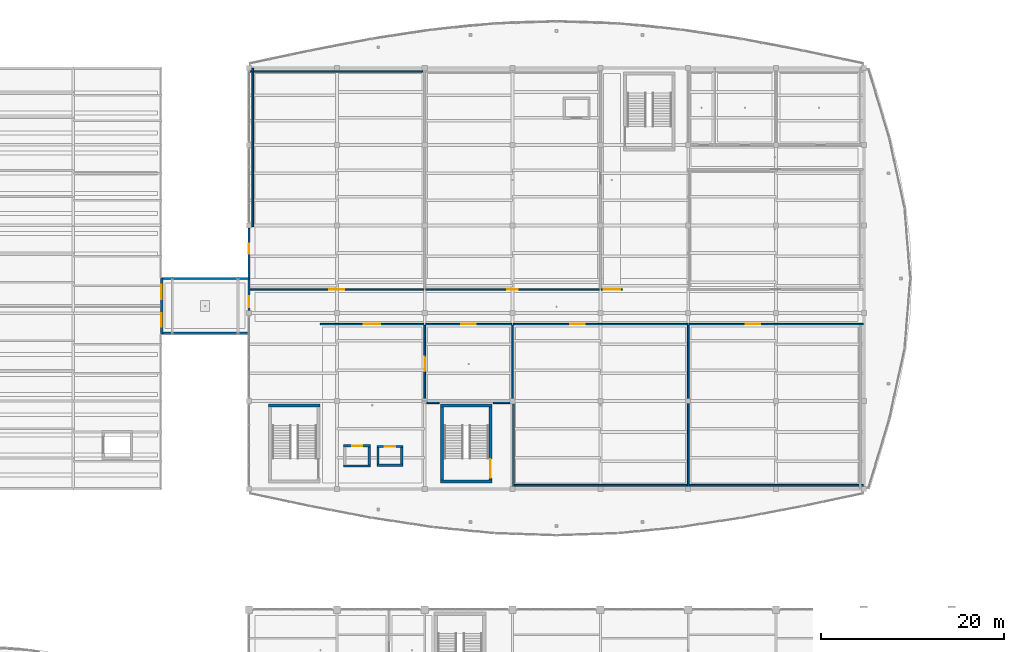
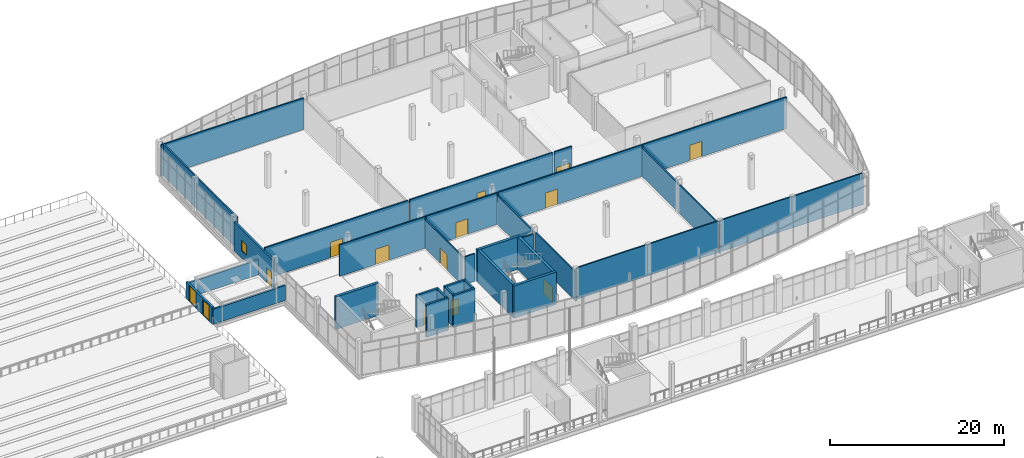
# One storey, part 135 of 157: 33 walls, 14 doors, 1 window, 15 openings.
"""IFC4 building model written with IfcOpenShell, lengths in metres."""

from ifc_helpers import new_model, si_unit, direction, frame, frame_2d, origin, place, context, subcontext, project, spatial, rectangle, extrude, material, layer, layer_set, type_object, element, fill, save


model = new_model("IFC4")

# Units and contexts
model_context = context("Model", 3, precision=1e-05, world=origin(), true_north=direction((0.0, 1.0)))
body_context = subcontext(model_context, "Body", "Model", "MODEL_VIEW")
ifc_project = project(units=[si_unit("LENGTHUNIT", "METRE"), si_unit("AREAUNIT", "SQUARE_METRE"), si_unit("VOLUMEUNIT", "CUBIC_METRE"), si_unit("PLANEANGLEUNIT", "RADIAN"), si_unit("MASSUNIT", "GRAM", prefix="KILO")], contexts=[model_context])

# Site, building, storey
site_placement = place(None, origin())
site = spatial("IfcSite", under=ifc_project, at=site_placement, CompositionType="ELEMENT")
building_placement = place(site_placement, origin())
building = spatial("IfcBuilding", under=site, at=building_placement, Name="Chalmorin Arch Market", CompositionType="ELEMENT")
storey_placement = place(building_placement, frame((0.0, 0.0, 4.800048828125)))
storey = spatial("IfcBuildingStorey", under=building, at=storey_placement, Name="L01", CompositionType="ELEMENT", Elevation=4.800048828125)

# Wall, opening, door
ifc_material_1 = material(Name="Gypsum Board Partition")
ifc_layer_1 = layer(ifc_material_1, 0.175048828125)
ifc_layer_set_1 = layer_set([ifc_layer_1], Name="Gypsum Board Partition")
wall_type_1 = type_object("IfcWallType", Name="AcousticStudioPartition-175", PredefinedType="PARTITIONING", material=ifc_layer_set_1)
wall_1_placement = place(storey_placement, frame((67.199951171875, 81.39990234375, 0.0), z_axis=(0.0, 0.0, 1.0), x_axis=(0.0, 1.0, 0.0)))
wall_1 = element("IfcWall", 1, at=wall_1_placement, inside=storey, type_object=wall_type_1, Name="ASP-175-493", PredefinedType="PARTITIONING", context=body_context, shape_type="SweptSolid", body=[
    extrude(rectangle(XDim=8.5, YDim=0.175048828125, at=frame_2d((4.25, 0.0))), origin(), (0.0, 0.0, 1.0), 4.036865234375),
])
opening_1_placement = place(wall_1_placement, frame((3.449951171875, 0.0, 0.0)))
opening_1 = element("IfcOpeningElement", 2, at=opening_1_placement, cuts=wall_1, Name="Opening ID-156", PredefinedType="OPENING", context=body_context, shape_type="SweptSolid", body=[
    extrude(rectangle(XDim=1.60009765625, YDim=2.14990234375, at=frame_2d((0.800048828125, 1.074951171875))), frame((0.0, 0.097412109375, 0.0), z_axis=(0.0, -1.0, 0.0), x_axis=(1.0, 0.0, 0.0)), (0.0, 0.0, 1.0), 0.195068359375),
])
ifc_material_2 = material(Name="Stainless Steel 316", Category="steel")
door_type_1 = type_object("IfcDoorType", Name="TeachingKitchenDoubleDoor-1600x2150", OperationType="DOUBLE_DOOR_SINGLE_SWING", PredefinedType="DOOR", material=ifc_material_2)
door_1_placement = place(opening_1_placement, origin())
door_1 = element("IfcDoor", 3, at=door_1_placement, inside=storey, type_object=door_type_1, Name="ID-156", OperationType="DOUBLE_DOOR_SINGLE_SWING", OverallHeight=2.14990234375, OverallWidth=1.60009765625, PredefinedType="DOOR", context=body_context, shape_type="SweptSolid", body=[
    extrude(rectangle(XDim=1.60009765625, YDim=2.14990234375, at=frame_2d((0.800048828125, 1.074951171875))), frame((0.0, 0.02490234375, 0.0), z_axis=(0.0, -1.0, 0.0), x_axis=(1.0, 0.0, 0.0)), (0.0, 0.0, 1.0), 0.050048828125),
])
fill(opening_1, door_1)

# Wall
wall_2_placement = place(storey_placement, frame((76.800048828125, 81.39990234375, 0.0), z_axis=(0.0, 0.0, 1.0), x_axis=(0.0, 1.0, 0.0)))
element("IfcWall", 4, at=wall_2_placement, inside=storey, type_object=wall_type_1, Name="ASP-175-495", PredefinedType="PARTITIONING", context=body_context, shape_type="SweptSolid", body=[
    extrude(rectangle(XDim=8.5, YDim=0.175048828125, at=frame_2d((4.25, 0.0))), origin(), (0.0, 0.0, 1.0), 4.036865234375),
])

# Wall, opening, door
wall_3_placement = place(storey_placement, frame((67.300048828125, 90.0, 0.0), z_axis=(0.0, 0.0, 1.0), x_axis=(1.0, 0.0, 0.0)))
wall_3 = element("IfcWall", 5, at=wall_3_placement, inside=storey, type_object=wall_type_1, Name="ASP-175-496", PredefinedType="PARTITIONING", context=body_context, shape_type="SweptSolid", body=[
    extrude(rectangle(XDim=9.39990234375, YDim=0.175048828125, at=frame_2d((4.699951171875, 0.0))), origin(), (0.0, 0.0, 1.0), 4.419921875),
])
opening_2_placement = place(wall_3_placement, frame((3.89990234375, 0.0, 0.0)))
opening_2 = element("IfcOpeningElement", 6, at=opening_2_placement, cuts=wall_3, Name="Opening ID-158", PredefinedType="OPENING", context=body_context, shape_type="SweptSolid", body=[
    extrude(rectangle(XDim=1.60009765625, YDim=2.14990234375, at=frame_2d((0.800048828125, 1.074951171875))), frame((0.0, 0.097412109375, 0.0), z_axis=(0.0, -1.0, 0.0), x_axis=(1.0, 0.0, 0.0)), (0.0, 0.0, 1.0), 0.195068359375),
])
door_2_placement = place(opening_2_placement, origin())
door_2 = element("IfcDoor", 7, at=door_2_placement, inside=storey, type_object=door_type_1, Name="ID-158", OperationType="DOUBLE_DOOR_SINGLE_SWING", OverallHeight=2.14990234375, OverallWidth=1.60009765625, PredefinedType="DOOR", context=body_context, shape_type="SweptSolid", body=[
    extrude(rectangle(XDim=1.60009765625, YDim=2.14990234375, at=frame_2d((0.800048828125, 1.074951171875))), frame((0.0, 0.02490234375, 0.0), z_axis=(0.0, -1.0, 0.0), x_axis=(1.0, 0.0, 0.0)), (0.0, 0.0, 1.0), 0.050048828125),
])
fill(opening_2, door_2)

# Wall
wall_4_placement = place(storey_placement, frame((96.0, 72.050048828125, 0.0), z_axis=(0.0, 0.0, 1.0), x_axis=(0.0, 1.0, 0.0)))
element("IfcWall", 8, at=wall_4_placement, inside=storey, type_object=wall_type_1, Name="ASP-175-497", PredefinedType="PARTITIONING", context=body_context, shape_type="SweptSolid", body=[
    extrude(rectangle(XDim=17.849853515625, YDim=0.175048828125, at=frame_2d((8.9248046875, 0.0))), origin(), (0.0, 0.0, 1.0), 4.036865234375),
])

# Wall, opening, door
wall_5_placement = place(storey_placement, frame((76.89990234375, 90.0, 0.0), z_axis=(0.0, 0.0, 1.0), x_axis=(1.0, 0.0, 0.0)))
wall_5 = element("IfcWall", 9, at=wall_5_placement, inside=storey, type_object=wall_type_1, Name="ASP-175-498", PredefinedType="PARTITIONING", context=body_context, shape_type="SweptSolid", body=[
    extrude(rectangle(XDim=19.050048828125, YDim=0.175048828125, at=frame_2d((9.52490234375, 0.0))), origin(), (0.0, 0.0, 1.0), 4.419921875),
])
opening_3_placement = place(wall_5_placement, frame((6.216064453125, 0.0, 0.0)))
opening_3 = element("IfcOpeningElement", 10, at=opening_3_placement, cuts=wall_5, Name="Opening ID-159", PredefinedType="OPENING", context=body_context, shape_type="SweptSolid", body=[
    extrude(rectangle(XDim=1.60009765625, YDim=2.14990234375, at=frame_2d((0.800048828125, 1.074951171875))), frame((0.0, 0.097412109375, 0.0), z_axis=(0.0, -1.0, 0.0), x_axis=(1.0, 0.0, 0.0)), (0.0, 0.0, 1.0), 0.195068359375),
])
door_3_placement = place(opening_3_placement, origin())
door_3 = element("IfcDoor", 11, at=door_3_placement, inside=storey, type_object=door_type_1, Name="ID-159", OperationType="DOUBLE_DOOR_SINGLE_SWING", OverallHeight=2.14990234375, OverallWidth=1.60009765625, PredefinedType="DOOR", context=body_context, shape_type="SweptSolid", body=[
    extrude(rectangle(XDim=1.60009765625, YDim=2.14990234375, at=frame_2d((0.800048828125, 1.074951171875))), frame((0.0, 0.02490234375, 0.0), z_axis=(0.0, -1.0, 0.0), x_axis=(1.0, 0.0, 0.0)), (0.0, 0.0, 1.0), 0.050048828125),
])
fill(opening_3, door_3)

wall_6_placement = place(storey_placement, frame((96.030029296875, 90.0, 0.0), z_axis=(0.0, 0.0, 1.0), x_axis=(1.0, 0.0, 0.0)))
wall_6 = element("IfcWall", 12, at=wall_6_placement, inside=storey, type_object=wall_type_1, Name="ASP-175-499", PredefinedType="PARTITIONING", context=body_context, shape_type="SweptSolid", body=[
    extrude(rectangle(XDim=19.119873046875, YDim=0.175048828125, at=frame_2d((9.56005859375, 0.0))), origin(), (0.0, 0.0, 1.0), 4.419921875),
])
opening_4_placement = place(wall_6_placement, frame((6.239990234375, 0.0, 0.0)))
opening_4 = element("IfcOpeningElement", 13, at=opening_4_placement, cuts=wall_6, Name="Opening ID-160", PredefinedType="OPENING", context=body_context, shape_type="SweptSolid", body=[
    extrude(rectangle(XDim=1.60009765625, YDim=2.14990234375, at=frame_2d((0.800048828125, 1.074951171875))), frame((0.0, 0.097412109375, 0.0), z_axis=(0.0, -1.0, 0.0), x_axis=(1.0, 0.0, 0.0)), (0.0, 0.0, 1.0), 0.195068359375),
])
door_4_placement = place(opening_4_placement, origin())
door_4 = element("IfcDoor", 14, at=door_4_placement, inside=storey, type_object=door_type_1, Name="ID-160", OperationType="DOUBLE_DOOR_SINGLE_SWING", OverallHeight=2.14990234375, OverallWidth=1.60009765625, PredefinedType="DOOR", context=body_context, shape_type="SweptSolid", body=[
    extrude(rectangle(XDim=1.60009765625, YDim=2.14990234375, at=frame_2d((0.800048828125, 1.074951171875))), frame((0.0, 0.02490234375, 0.0), z_axis=(0.0, -1.0, 0.0), x_axis=(1.0, 0.0, 0.0)), (0.0, 0.0, 1.0), 0.050048828125),
])
fill(opening_4, door_4)

wall_7_placement = place(storey_placement, frame((48.050048828125, 93.800048828125, 0.0), z_axis=(0.0, 0.0, 1.0), x_axis=(1.0, 0.0, 0.0)))
wall_7 = element("IfcWall", 15, at=wall_7_placement, inside=storey, type_object=wall_type_1, Name="ASP-175-501", PredefinedType="PARTITIONING", context=body_context, shape_type="SweptSolid", body=[
    extrude(rectangle(XDim=19.050048828125, YDim=0.175048828125, at=frame_2d((9.52490234375, 0.0))), origin(), (0.0, 0.0, 1.0), 4.419921875),
])
opening_5_placement = place(wall_7_placement, frame((8.72509765625, 0.0, 0.0)))
opening_5 = element("IfcOpeningElement", 16, at=opening_5_placement, cuts=wall_7, Name="Opening ID-162", PredefinedType="OPENING", context=body_context, shape_type="SweptSolid", body=[
    extrude(rectangle(XDim=1.60009765625, YDim=2.14990234375, at=frame_2d((0.800048828125, 1.074951171875))), frame((0.0, 0.097412109375, 0.0), z_axis=(0.0, -1.0, 0.0), x_axis=(1.0, 0.0, 0.0)), (0.0, 0.0, 1.0), 0.195068359375),
])
door_5_placement = place(opening_5_placement, origin())
door_5 = element("IfcDoor", 17, at=door_5_placement, inside=storey, type_object=door_type_1, Name="ID-162", OperationType="DOUBLE_DOOR_SINGLE_SWING", OverallHeight=2.14990234375, OverallWidth=1.60009765625, PredefinedType="DOOR", context=body_context, shape_type="SweptSolid", body=[
    extrude(rectangle(XDim=1.60009765625, YDim=2.14990234375, at=frame_2d((0.800048828125, 1.074951171875))), frame((0.0, 0.02490234375, 0.0), z_axis=(0.0, -1.0, 0.0), x_axis=(1.0, 0.0, 0.0)), (0.0, 0.0, 1.0), 0.050048828125),
])
fill(opening_5, door_5)

# Walls
wall_8_placement = place(storey_placement, frame((67.43994140625, 81.39990234375, 0.0), z_axis=(0.0, 0.0, 1.0), x_axis=(1.0, 0.0, 0.0)))
element("IfcWall", 18, at=wall_8_placement, inside=storey, type_object=wall_type_1, Name="ASP-175-519", PredefinedType="PARTITIONING", context=body_context, shape_type="SweptSolid", body=[
    extrude(rectangle(XDim=1.344970703125, YDim=0.175048828125, at=frame_2d((0.67236328125, 0.0))), origin(), (0.0, 0.0, 1.0), 3.89501953125),
])
wall_9_placement = place(storey_placement, frame((74.715087890625, 81.39990234375, 0.0), z_axis=(0.0, 0.0, 1.0), x_axis=(1.0, 0.0, 0.0)))
element("IfcWall", 19, at=wall_9_placement, inside=storey, type_object=wall_type_1, Name="ASP-175-520", PredefinedType="PARTITIONING", context=body_context, shape_type="SweptSolid", body=[
    extrude(rectangle(XDim=1.844970703125, YDim=0.175048828125, at=frame_2d((0.92236328125, 0.0))), origin(), (0.0, 0.0, 1.0), 3.89501953125),
])
wall_10_placement = place(storey_placement, frame((77.0400390625, 72.39990234375, 0.0), z_axis=(0.0, 0.0, 1.0), x_axis=(1.0, 0.0, 0.0)))
element("IfcWall", 20, at=wall_10_placement, inside=storey, type_object=wall_type_1, Name="ASP-175-521", PredefinedType="PARTITIONING", context=body_context, shape_type="SweptSolid", body=[
    extrude(rectangle(XDim=18.909912109375, YDim=0.175048828125, at=frame_2d((9.455078125, 0.0))), origin(), (0.0, 0.0, 1.0), 4.419921875),
])
wall_11_placement = place(storey_placement, frame((76.89990234375, 72.050048828125, 0.0), z_axis=(0.0, 0.0, 1.0), x_axis=(0.0, 1.0, 0.0)))
element("IfcWall", 21, at=wall_11_placement, inside=storey, type_object=wall_type_1, Name="ASP-175-522", PredefinedType="PARTITIONING", context=body_context, shape_type="SweptSolid", body=[
    extrude(rectangle(XDim=9.2099609375, YDim=0.175048828125, at=frame_2d((4.60498046875, 0.0))), origin(), (0.0, 0.0, 1.0), 4.036865234375),
])
wall_12_placement = place(storey_placement, frame((96.090087890625, 72.39990234375, 0.0), z_axis=(0.0, 0.0, 1.0), x_axis=(1.0, 0.0, 0.0)))
element("IfcWall", 22, at=wall_12_placement, inside=storey, type_object=wall_type_1, Name="ASP-175-523", PredefinedType="PARTITIONING", context=body_context, shape_type="SweptSolid", body=[
    extrude(rectangle(XDim=19.059814453125, YDim=0.175048828125, at=frame_2d((9.52978515625, 0.0))), origin(), (0.0, 0.0, 1.0), 4.419921875),
])
wall_13_placement = place(storey_placement, frame((48.050048828125, 117.60009765625, 0.0), z_axis=(0.0, 0.0, 1.0), x_axis=(1.0, 0.0, 0.0)))
element("IfcWall", 23, at=wall_13_placement, inside=storey, type_object=wall_type_1, Name="ASP-175-525", PredefinedType="PARTITIONING", context=body_context, shape_type="SweptSolid", body=[
    extrude(rectangle(XDim=18.909912109375, YDim=0.175048828125, at=frame_2d((9.455078125, 0.0))), origin(), (0.0, 0.0, 1.0), 4.419921875),
])
wall_14_placement = place(storey_placement, frame((48.39990234375, 100.6650390625, 0.0), z_axis=(0.0, 0.0, 1.0), x_axis=(0.0, 1.0, 0.0)))
element("IfcWall", 24, at=wall_14_placement, inside=storey, type_object=wall_type_1, Name="ASP-175-526", PredefinedType="PARTITIONING", context=body_context, shape_type="SweptSolid", body=[
    extrude(rectangle(XDim=17.284912109375, YDim=0.175048828125, at=frame_2d((8.642578125, 0.0))), origin(), (0.0, 0.0, 1.0), 4.419921875),
])
ifc_material_3 = material(Name="Concrete C40/50", Category="concrete")
ifc_layer_2 = layer(ifc_material_3, 0.35009765625)
ifc_layer_set_2 = layer_set([ifc_layer_2], Name="Concrete C40/50")
wall_type_2 = type_object("IfcWallType", Name="CoreShearWall-350", PredefinedType="SHEAR", material=ifc_layer_set_2)
for number, where, z_axis, x_axis, name in (
    (25, (50.125, 81.10009765625, 0.0), (0.0, 0.0, 1.0), (1.0, 0.0, 0.0), "CSW-350-074"),
    (26, (74.574951171875, 72.800048828125, 0.0), (0.0, 0.0, 1.0), (-1.0, 0.0, 0.0), "CSW-350-113"),
    (27, (68.925048828125, 81.10009765625, 0.0), (0.0, 0.0, 1.0), (1.0, 0.0, 0.0), "CSW-350-114"),
):
    element("IfcWall", number, at=place(storey_placement, frame(where, z_axis=z_axis, x_axis=x_axis)), inside=storey, type_object=wall_type_2, Name=name, PredefinedType="SHEAR", context=body_context, shape_type="SweptSolid", body=[
        extrude(rectangle(XDim=5.64990234375, YDim=0.35009765625, at=frame_2d((2.824951171875, 0.0))), origin(), (0.0, 0.0, 1.0), 4.550048828125),
    ])
wall_15_placement = place(storey_placement, frame((69.10009765625, 72.97509765625, 0.0), z_axis=(0.0, 0.0, 1.0), x_axis=(0.0, 1.0, 0.0)))
element("IfcWall", 28, at=wall_15_placement, inside=storey, type_object=wall_type_2, Name="CSW-350-115", PredefinedType="SHEAR", context=body_context, shape_type="SweptSolid", body=[
    extrude(rectangle(XDim=7.949951171875, YDim=0.35009765625, at=frame_2d((3.97509765625, 0.0))), origin(), (0.0, 0.0, 1.0), 4.550048828125),
])

# Wall, opening, door
wall_16_placement = place(storey_placement, frame((74.39990234375, 80.925048828125, 0.0), z_axis=(0.0, 0.0, 1.0), x_axis=(0.0, -1.0, 0.0)))
wall_16 = element("IfcWall", 29, at=wall_16_placement, inside=storey, type_object=wall_type_2, Name="CSW-350-116", PredefinedType="SHEAR", context=body_context, shape_type="SweptSolid", body=[
    extrude(rectangle(XDim=7.949951171875, YDim=0.35009765625, at=frame_2d((3.97509765625, 0.0))), origin(), (0.0, 0.0, 1.0), 4.550048828125),
])
opening_6_placement = place(wall_16_placement, frame((5.679931640625, 0.0, 0.0)))
opening_6 = element("IfcOpeningElement", 30, at=opening_6_placement, cuts=wall_16, Name="Opening FD-SC7-L01", PredefinedType="OPENING", context=body_context, shape_type="SweptSolid", body=[
    extrude(rectangle(XDim=2.050048828125, YDim=2.14990234375, at=frame_2d((1.02490234375, 1.074951171875))), frame((0.0, 0.18505859375, 0.0), z_axis=(0.0, -1.0, 0.0), x_axis=(1.0, 0.0, 0.0)), (0.0, 0.0, 1.0), 0.3701171875),
])
ifc_material_4 = material(Name="Galvanised Steel", Category="steel")
door_type_2 = type_object("IfcDoorType", Name="DoubleFireExitDoor-2050x2150", OperationType="DOUBLE_DOOR_SINGLE_SWING", PredefinedType="DOOR", material=ifc_material_4)
door_6_placement = place(opening_6_placement, origin())
door_6 = element("IfcDoor", 31, at=door_6_placement, inside=storey, type_object=door_type_2, Name="FD-SC7-L01", OperationType="DOUBLE_DOOR_SINGLE_SWING", OverallHeight=2.14990234375, OverallWidth=2.050048828125, PredefinedType="DOOR", context=body_context, shape_type="SweptSolid", body=[
    extrude(rectangle(XDim=2.050048828125, YDim=2.14990234375, at=frame_2d((1.02490234375, 1.074951171875))), frame((0.0, 0.02490234375, 0.0), z_axis=(0.0, -1.0, 0.0), x_axis=(1.0, 0.0, 0.0)), (0.0, 0.0, 1.0), 0.050048828125),
])
fill(opening_6, door_6)

ifc_layer_3 = layer(ifc_material_1, 0.159912109375)
ifc_layer_set_3 = layer_set([ifc_layer_3], Name="Gypsum Board Partition")
wall_type_3 = type_object("IfcWallType", Name="CorridorRatedPartition-160", PredefinedType="PARTITIONING", material=ifc_layer_set_3)
wall_17_placement = place(storey_placement, frame((55.800048828125, 90.0, 0.0), z_axis=(0.0, 0.0, 1.0), x_axis=(1.0, 0.0, 0.0)))
wall_17 = element("IfcWall", 32, at=wall_17_placement, inside=storey, type_object=wall_type_3, Name="CRP-160-494", PredefinedType="PARTITIONING", context=body_context, shape_type="SweptSolid", body=[
    extrude(rectangle(XDim=11.300048828125, YDim=0.159912109375, at=frame_2d((5.64990234375, 0.0))), origin(), (0.0, 0.0, 1.0), 4.419921875),
])
opening_7_placement = place(wall_17_placement, frame((4.75, 0.0, 0.0)))
opening_7 = element("IfcOpeningElement", 33, at=opening_7_placement, cuts=wall_17, Name="Opening ID-157", PredefinedType="OPENING", context=body_context, shape_type="SweptSolid", body=[
    extrude(rectangle(XDim=1.800048828125, YDim=2.14990234375, at=frame_2d((0.89990234375, 1.074951171875))), frame((0.0, 0.08984375, 0.0), z_axis=(0.0, -1.0, 0.0), x_axis=(1.0, 0.0, 0.0)), (0.0, 0.0, 1.0), 0.179931640625),
])
door_type_3 = type_object("IfcDoorType", Name="CorridorFireDoubleDoor-1800x2150", OperationType="DOUBLE_DOOR_SINGLE_SWING", PredefinedType="DOOR", material=ifc_material_4)
door_7_placement = place(opening_7_placement, origin())
door_7 = element("IfcDoor", 34, at=door_7_placement, inside=storey, type_object=door_type_3, Name="ID-157", OperationType="DOUBLE_DOOR_SINGLE_SWING", OverallHeight=2.14990234375, OverallWidth=1.800048828125, PredefinedType="DOOR", context=body_context, shape_type="SweptSolid", body=[
    extrude(rectangle(XDim=1.800048828125, YDim=2.14990234375, at=frame_2d((0.89990234375, 1.074951171875))), frame((0.0, 0.02490234375, 0.0), z_axis=(0.0, -1.0, 0.0), x_axis=(1.0, 0.0, 0.0)), (0.0, 0.0, 1.0), 0.050048828125),
])
fill(opening_7, door_7)

wall_18_placement = place(storey_placement, frame((86.5, 93.800048828125, 0.0), z_axis=(0.0, 0.0, 1.0), x_axis=(1.0, 0.0, 0.0)))
wall_18 = element("IfcWall", 35, at=wall_18_placement, inside=storey, type_object=wall_type_3, Name="CRP-160-500", PredefinedType="PARTITIONING", context=body_context, shape_type="SweptSolid", body=[
    extrude(rectangle(XDim=2.300048828125, YDim=0.159912109375, at=frame_2d((1.14990234375, 0.0))), origin(), (0.0, 0.0, 1.0), 4.419921875),
])
opening_8_placement = place(wall_18_placement, frame((0.25, 0.0, 0.0)))
opening_8 = element("IfcOpeningElement", 36, at=opening_8_placement, cuts=wall_18, Name="Opening ID-161", PredefinedType="OPENING", context=body_context, shape_type="SweptSolid", body=[
    extrude(rectangle(XDim=1.800048828125, YDim=2.14990234375, at=frame_2d((0.89990234375, 1.074951171875))), frame((0.0, 0.08984375, 0.0), z_axis=(0.0, -1.0, 0.0), x_axis=(1.0, 0.0, 0.0)), (0.0, 0.0, 1.0), 0.179931640625),
])
door_8_placement = place(opening_8_placement, origin())
door_8 = element("IfcDoor", 37, at=door_8_placement, inside=storey, type_object=door_type_3, Name="ID-161", OperationType="DOUBLE_DOOR_SINGLE_SWING", OverallHeight=2.14990234375, OverallWidth=1.800048828125, PredefinedType="DOOR", context=body_context, shape_type="SweptSolid", body=[
    extrude(rectangle(XDim=1.800048828125, YDim=2.14990234375, at=frame_2d((0.89990234375, 1.074951171875))), frame((0.0, 0.02490234375, 0.0), z_axis=(0.0, -1.0, 0.0), x_axis=(1.0, 0.0, 0.0)), (0.0, 0.0, 1.0), 0.050048828125),
])
fill(opening_8, door_8)

wall_19_placement = place(storey_placement, frame((67.300048828125, 93.800048828125, 0.0), z_axis=(0.0, 0.0, 1.0), x_axis=(1.0, 0.0, 0.0)))
wall_19 = element("IfcWall", 38, at=wall_19_placement, inside=storey, type_object=wall_type_3, Name="CRP-160-502", PredefinedType="PARTITIONING", context=body_context, shape_type="SweptSolid", body=[
    extrude(rectangle(XDim=19.0, YDim=0.159912109375, at=frame_2d((9.5, 0.0))), origin(), (0.0, 0.0, 1.0), 4.419921875),
])
opening_9_placement = place(wall_19_placement, frame((8.925048828125, 0.0, 0.0)))
opening_9 = element("IfcOpeningElement", 39, at=opening_9_placement, cuts=wall_19, Name="Opening ID-163", PredefinedType="OPENING", context=body_context, shape_type="SweptSolid", body=[
    extrude(rectangle(XDim=1.14990234375, YDim=2.199951171875, at=frame_2d((0.574951171875, 1.10009765625))), frame((0.0, 0.08984375, 0.0), z_axis=(0.0, -1.0, 0.0), x_axis=(1.0, 0.0, 0.0)), (0.0, 0.0, 1.0), 0.179931640625),
])
door_type_4 = type_object("IfcDoorType", Name="WorkshopHeavyDoor-1150x2200", OperationType="NOTDEFINED", PredefinedType="DOOR", material=ifc_material_4)
door_9_placement = place(opening_9_placement, origin())
door_9 = element("IfcDoor", 40, at=door_9_placement, inside=storey, type_object=door_type_4, Name="ID-163", OperationType="SINGLE_SWING_LEFT", OverallHeight=2.199951171875, OverallWidth=1.14990234375, PredefinedType="DOOR", context=body_context, shape_type="SweptSolid", body=[
    extrude(rectangle(XDim=1.14990234375, YDim=2.199951171875, at=frame_2d((0.574951171875, 1.10009765625))), frame((0.0, 0.02490234375, 0.0), z_axis=(0.0, -1.0, 0.0), x_axis=(1.0, 0.0, 0.0)), (0.0, 0.0, 1.0), 0.050048828125),
])
fill(opening_9, door_9)

# Wall, openings, door, window
ifc_material_5 = material(Name="Concrete C30/37", Category="concrete")
ifc_layer_4 = layer(ifc_material_5, 0.25)
ifc_layer_set_4 = layer_set([ifc_layer_4], Name="Concrete C30/37")
wall_type_4 = type_object("IfcWallType", Name="InsulatedMasonryBackupWall-250", PredefinedType="STANDARD", material=ifc_layer_set_4)
wall_20_placement = place(storey_placement, frame((48.0, 91.47509765625, 0.0), z_axis=(0.0, 0.0, 1.0), x_axis=(0.0, 1.0, 0.0)))
wall_20 = element("IfcWall", 41, at=wall_20_placement, inside=storey, type_object=wall_type_4, Name="EBW-250-200", PredefinedType="STANDARD", context=body_context, shape_type="SweptSolid", body=[
    extrude(rectangle(XDim=9.0498046875, YDim=0.25, at=frame_2d((4.52490234375, 0.0))), origin(), (0.0, 0.0, 1.0), 4.0458984375),
])
opening_10_placement = place(wall_20_placement, frame((6.199951171875, 0.0, 1.050048828125)))
opening_10 = element("IfcOpeningElement", 42, at=opening_10_placement, cuts=wall_20, Name="Opening WN-118", PredefinedType="OPENING", context=body_context, shape_type="SweptSolid", body=[
    extrude(rectangle(XDim=1.1201171875, YDim=1.43994140625, at=frame_2d((0.56005859375, 0.719970703125))), frame((0.0, 0.135009765625, 0.0), z_axis=(0.0, -1.0, 0.0), x_axis=(1.0, 0.0, 0.0)), (0.0, 0.0, 1.0), 0.27001953125),
])
opening_11_placement = place(wall_20_placement, frame((0.35009765625, 0.0, 0.0)))
opening_11 = element("IfcOpeningElement", 43, at=opening_11_placement, cuts=wall_20, Name="Opening FD-172", PredefinedType="OPENING", context=body_context, shape_type="SweptSolid", body=[
    extrude(rectangle(XDim=1.25, YDim=2.14990234375, at=frame_2d((0.625, 1.074951171875))), frame((0.0, 0.135009765625, 0.0), z_axis=(0.0, -1.0, 0.0), x_axis=(1.0, 0.0, 0.0)), (0.0, 0.0, 1.0), 0.27001953125),
])
door_type_5 = type_object("IfcDoorType", Name="FireRatedStairDoor-1250x2150", OperationType="NOTDEFINED", PredefinedType="DOOR", material=ifc_material_4)
door_10_placement = place(opening_11_placement, origin())
door_10 = element("IfcDoor", 44, at=door_10_placement, inside=storey, type_object=door_type_5, Name="FD-172", OperationType="SINGLE_SWING_RIGHT", OverallHeight=2.14990234375, OverallWidth=1.25, PredefinedType="DOOR", context=body_context, shape_type="SweptSolid", body=[
    extrude(rectangle(XDim=1.25, YDim=2.14990234375, at=frame_2d((0.625, 1.074951171875))), frame((0.0, 0.02490234375, 0.0), z_axis=(0.0, -1.0, 0.0), x_axis=(1.0, 0.0, 0.0)), (0.0, 0.0, 1.0), 0.050048828125),
])
fill(opening_11, door_10)
ifc_material_6 = material(Name="Low-E Tempered Glass", Category="glass")
window_type = type_object("IfcWindowType", Name="OfficeCasementWindow-1200x1500-1120x1440", PartitioningType="SINGLE_PANEL", PredefinedType="WINDOW", material=ifc_material_6)
window_placement = place(opening_10_placement, origin())
window = element("IfcWindow", 45, at=window_placement, inside=storey, type_object=window_type, Name="WN-118", OverallHeight=1.43994140625, OverallWidth=1.1201171875, PartitioningType="SINGLE_PANEL", PredefinedType="WINDOW", context=body_context, shape_type="SweptSolid", body=[
    extrude(rectangle(XDim=1.1201171875, YDim=1.43994140625, at=frame_2d((0.56005859375, 0.719970703125))), frame((0.0, 0.030029296875, 0.0), z_axis=(0.0, -1.0, 0.0), x_axis=(1.0, 0.0, 0.0)), (0.0, 0.0, 1.0), 0.06005859375),
])
fill(opening_10, window)

# Wall, openings, doors
wall_21_placement = place(storey_placement, frame((38.449951171875, 89.0, 0.0), z_axis=(0.0, 0.0, 1.0), x_axis=(0.0, 1.0, 0.0)))
wall_21 = element("IfcWall", 46, at=wall_21_placement, inside=storey, type_object=wall_type_4, Name="EBW-250-226", PredefinedType="STANDARD", context=body_context, shape_type="SweptSolid", body=[
    extrude(rectangle(XDim=6.0, YDim=0.25, at=frame_2d((3.0, 0.0))), origin(), (0.0, 0.0, 1.0), 2.320068359375),
])
opening_12_placement = place(wall_21_placement, frame((0.699951171875, 0.0, 0.0)))
opening_12 = element("IfcOpeningElement", 47, at=opening_12_placement, cuts=wall_21, Name="Opening ED-059", PredefinedType="OPENING", context=body_context, shape_type="SweptSolid", body=[
    extrude(rectangle(XDim=1.47998046875, YDim=2.110107421875, at=frame_2d((0.739990234375, 1.05517578125))), frame((0.0, 0.135009765625, 0.0), z_axis=(0.0, -1.0, 0.0), x_axis=(1.0, 0.0, 0.0)), (0.0, 0.0, 1.0), 0.27001953125),
])
opening_13_placement = place(wall_21_placement, frame((3.699951171875, 0.0, 0.0)))
opening_13 = element("IfcOpeningElement", 48, at=opening_13_placement, cuts=wall_21, Name="Opening ED-060", PredefinedType="OPENING", context=body_context, shape_type="SweptSolid", body=[
    extrude(rectangle(XDim=1.60009765625, YDim=2.199951171875, at=frame_2d((0.800048828125, 1.10009765625))), frame((0.0, 0.135009765625, 0.0), z_axis=(0.0, -1.0, 0.0), x_axis=(1.0, 0.0, 0.0)), (0.0, 0.0, 1.0), 0.27001953125),
])
ifc_material_7 = material(Name="Aluminium 6063-T6", Category="aluminium")
door_type_6 = type_object("IfcDoorType", Name="TerraceGlazedDoubleDoor-1600x2200", OperationType="DOUBLE_DOOR_SINGLE_SWING", PredefinedType="DOOR", material=ifc_material_7)
door_11_placement = place(opening_13_placement, origin())
door_11 = element("IfcDoor", 49, at=door_11_placement, inside=storey, type_object=door_type_6, Name="ED-060", OperationType="DOUBLE_DOOR_SINGLE_SWING", OverallHeight=2.199951171875, OverallWidth=1.60009765625, PredefinedType="DOOR", context=body_context, shape_type="SweptSolid", body=[
    extrude(rectangle(XDim=1.60009765625, YDim=2.199951171875, at=frame_2d((0.800048828125, 1.10009765625))), frame((0.0, 0.02490234375, 0.0), z_axis=(0.0, -1.0, 0.0), x_axis=(1.0, 0.0, 0.0)), (0.0, 0.0, 1.0), 0.050048828125),
])
fill(opening_13, door_11)
door_type_7 = type_object("IfcDoorType", Name="TerraceGlazedDoubleDoor-1600x2200-1480x2110", OperationType="DOUBLE_DOOR_SINGLE_SWING", PredefinedType="DOOR", material=ifc_material_7)
door_12_placement = place(opening_12_placement, origin())
door_12 = element("IfcDoor", 50, at=door_12_placement, inside=storey, type_object=door_type_7, Name="ED-059", OperationType="DOUBLE_DOOR_SINGLE_SWING", OverallHeight=2.110107421875, OverallWidth=1.47998046875, PredefinedType="DOOR", context=body_context, shape_type="SweptSolid", body=[
    extrude(rectangle(XDim=1.47998046875, YDim=2.110107421875, at=frame_2d((0.739990234375, 1.05517578125))), frame((0.0, 0.02490234375, 0.0), z_axis=(0.0, -1.0, 0.0), x_axis=(1.0, 0.0, 0.0)), (0.0, 0.0, 1.0), 0.050048828125),
])
fill(opening_12, door_12)

# Walls
for number, where, z_axis, x_axis, name in (
    (51, (38.39990234375, 89.0, 0.0), (0.0, 0.0, 1.0), (1.0, 0.0, 0.0), "EBW-250-227"),
    (52, (38.39990234375, 95.0, 0.0), (0.0, 0.0, 1.0), (1.0, 0.0, 0.0), "EBW-250-228"),
):
    element("IfcWall", number, at=place(storey_placement, frame(where, z_axis=z_axis, x_axis=x_axis)), inside=storey, type_object=wall_type_4, Name=name, PredefinedType="STANDARD", context=body_context, shape_type="SweptSolid", body=[
        extrude(rectangle(XDim=9.60009765625, YDim=0.25, at=frame_2d((4.800048828125, 0.0))), origin(), (0.0, 0.0, 1.0), 2.1064453125),
    ])
ifc_material_8 = material(Name="Concrete C35/45", Category="concrete")
ifc_layer_5 = layer(ifc_material_8, 0.25)
ifc_layer_set_5 = layer_set([ifc_layer_5], Name="Concrete C35/45")
wall_type_5 = type_object("IfcWallType", Name="ShaftEnclosureWall-250", PredefinedType="SOLIDWALL", material=ifc_layer_set_5)
wall_22_placement = place(storey_placement, frame((61.27490234375, 74.5, 0.0), z_axis=(0.0, 0.0, 1.0), x_axis=(-1.0, 0.0, 0.0)))
element("IfcWall", 53, at=wall_22_placement, inside=storey, type_object=wall_type_5, Name="SEW-250-182", PredefinedType="SOLIDWALL", context=body_context, shape_type="SweptSolid", body=[
    extrude(rectangle(XDim=2.949951171875, YDim=0.25, at=frame_2d((1.47509765625, 0.0))), origin(), (0.0, 0.0, 1.0), 4.550048828125),
])

# Wall, opening, door
wall_23_placement = place(storey_placement, frame((58.324951171875, 76.699951171875, 0.0), z_axis=(0.0, 0.0, 1.0), x_axis=(1.0, 0.0, 0.0)))
wall_23 = element("IfcWall", 54, at=wall_23_placement, inside=storey, type_object=wall_type_5, Name="SEW-250-183", PredefinedType="SOLIDWALL", context=body_context, shape_type="SweptSolid", body=[
    extrude(rectangle(XDim=2.949951171875, YDim=0.25, at=frame_2d((1.47509765625, 0.0))), origin(), (0.0, 0.0, 1.0), 4.550048828125),
])
opening_14_placement = place(wall_23_placement, frame((0.925048828125, 0.0, 0.0)))
opening_14 = element("IfcOpeningElement", 55, at=opening_14_placement, cuts=wall_23, Name="Opening LD-LF-FF1-L01", PredefinedType="OPENING", context=body_context, shape_type="SweptSolid", body=[
    extrude(rectangle(XDim=1.10009765625, YDim=2.14990234375, at=frame_2d((0.550048828125, 1.074951171875))), frame((0.0, 0.135009765625, 0.0), z_axis=(0.0, -1.0, 0.0), x_axis=(1.0, 0.0, 0.0)), (0.0, 0.0, 1.0), 0.27001953125),
])
door_type_8 = type_object("IfcDoorType", Name="LiftLandingSlidingDoor-1100x2150", OperationType="DOUBLE_DOOR_SLIDING", PredefinedType="DOOR", material=ifc_material_2)
door_13_placement = place(opening_14_placement, origin())
door_13 = element("IfcDoor", 56, at=door_13_placement, inside=storey, type_object=door_type_8, Name="LD-LF-FF1-L01", OperationType="DOUBLE_DOOR_SLIDING", OverallHeight=2.14990234375, OverallWidth=1.10009765625, PredefinedType="DOOR", context=body_context, shape_type="SweptSolid", body=[
    extrude(rectangle(XDim=1.10009765625, YDim=2.14990234375, at=frame_2d((0.550048828125, 1.074951171875))), frame((0.0, 0.02490234375, 0.0), z_axis=(0.0, -1.0, 0.0), x_axis=(1.0, 0.0, 0.0)), (0.0, 0.0, 1.0), 0.050048828125),
])
fill(opening_14, door_13)

# Walls
wall_24_placement = place(storey_placement, frame((61.14990234375, 76.574951171875, 0.0), z_axis=(0.0, 0.0, 1.0), x_axis=(0.0, -1.0, 0.0)))
element("IfcWall", 57, at=wall_24_placement, inside=storey, type_object=wall_type_5, Name="SEW-250-185", PredefinedType="SOLIDWALL", context=body_context, shape_type="SweptSolid", body=[
    extrude(rectangle(XDim=1.949951171875, YDim=0.25, at=frame_2d((0.97509765625, 0.0))), origin(), (0.0, 0.0, 1.0), 4.550048828125),
])
wall_25_placement = place(storey_placement, frame((64.824951171875, 74.574951171875, 0.0), z_axis=(0.0, 0.0, 1.0), x_axis=(-1.0, 0.0, 0.0)))
element("IfcWall", 58, at=wall_25_placement, inside=storey, type_object=wall_type_5, Name="SEW-250-270", PredefinedType="SOLIDWALL", context=body_context, shape_type="SweptSolid", body=[
    extrude(rectangle(XDim=2.849853515625, YDim=0.25, at=frame_2d((1.4248046875, 0.0))), origin(), (0.0, 0.0, 1.0), 4.550048828125),
])

# Wall, opening, door
wall_26_placement = place(storey_placement, frame((61.97509765625, 76.625, 0.0), z_axis=(0.0, 0.0, 1.0), x_axis=(1.0, 0.0, 0.0)))
wall_26 = element("IfcWall", 59, at=wall_26_placement, inside=storey, type_object=wall_type_5, Name="SEW-250-271", PredefinedType="SOLIDWALL", context=body_context, shape_type="SweptSolid", body=[
    extrude(rectangle(XDim=2.849853515625, YDim=0.25, at=frame_2d((1.4248046875, 0.0))), origin(), (0.0, 0.0, 1.0), 4.550048828125),
])
opening_15_placement = place(wall_26_placement, frame((0.875, 0.0, 0.0)))
opening_15 = element("IfcOpeningElement", 60, at=opening_15_placement, cuts=wall_26, Name="Opening LD-LF-P4-L01", PredefinedType="OPENING", context=body_context, shape_type="SweptSolid", body=[
    extrude(rectangle(XDim=1.10009765625, YDim=2.14990234375, at=frame_2d((0.550048828125, 1.074951171875))), frame((0.0, 0.135009765625, 0.0), z_axis=(0.0, -1.0, 0.0), x_axis=(1.0, 0.0, 0.0)), (0.0, 0.0, 1.0), 0.27001953125),
])
door_14_placement = place(opening_15_placement, origin())
door_14 = element("IfcDoor", 61, at=door_14_placement, inside=storey, type_object=door_type_8, Name="LD-LF-P4-L01", OperationType="DOUBLE_DOOR_SLIDING", OverallHeight=2.14990234375, OverallWidth=1.10009765625, PredefinedType="DOOR", context=body_context, shape_type="SweptSolid", body=[
    extrude(rectangle(XDim=1.10009765625, YDim=2.14990234375, at=frame_2d((0.550048828125, 1.074951171875))), frame((0.0, 0.02490234375, 0.0), z_axis=(0.0, -1.0, 0.0), x_axis=(1.0, 0.0, 0.0)), (0.0, 0.0, 1.0), 0.050048828125),
])
fill(opening_15, door_14)

# Walls
for number, where, z_axis, x_axis, name in (
    (62, (62.10009765625, 74.699951171875, 0.0), (0.0, 0.0, 1.0), (0.0, 1.0, 0.0), "SEW-250-272"),
    (63, (64.699951171875, 76.5, 0.0), (0.0, 0.0, 1.0), (0.0, -1.0, 0.0), "SEW-250-273"),
):
    element("IfcWall", number, at=place(storey_placement, frame(where, z_axis=z_axis, x_axis=x_axis)), inside=storey, type_object=wall_type_5, Name=name, PredefinedType="SOLIDWALL", context=body_context, shape_type="SweptSolid", body=[
        extrude(rectangle(XDim=1.800048828125, YDim=0.25, at=frame_2d((0.89990234375, 0.0))), origin(), (0.0, 0.0, 1.0), 4.550048828125),
    ])

save(model, "model.ifc")
